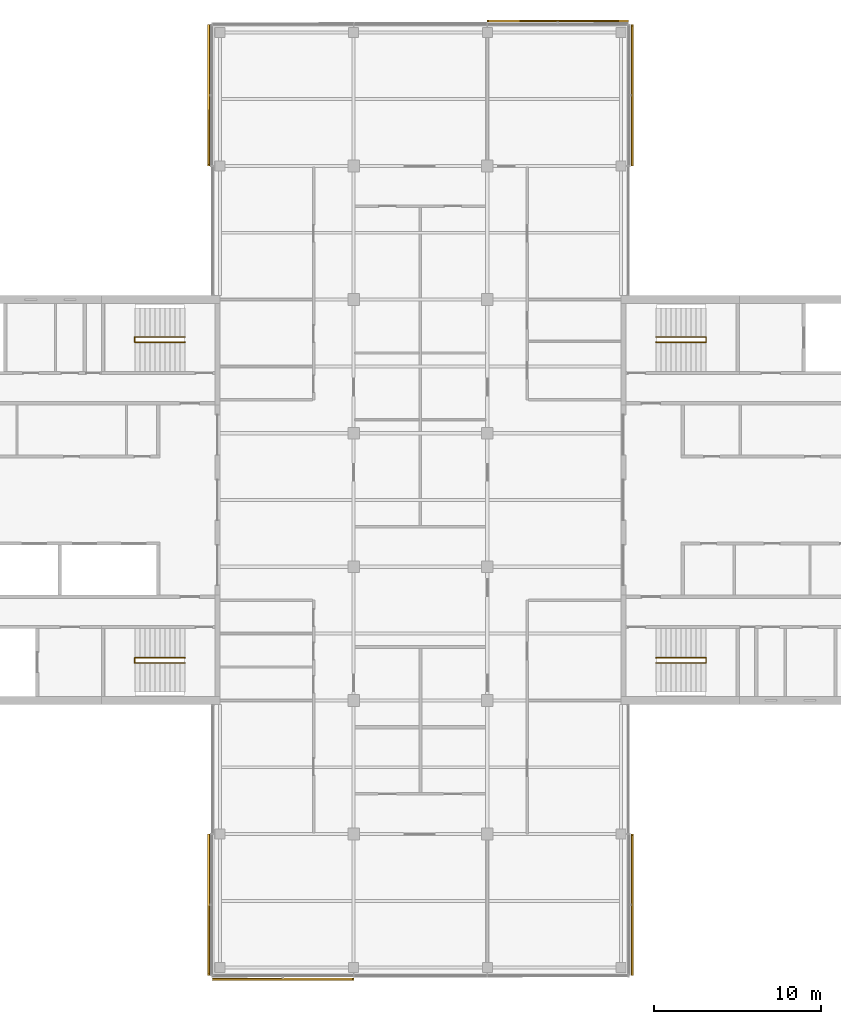
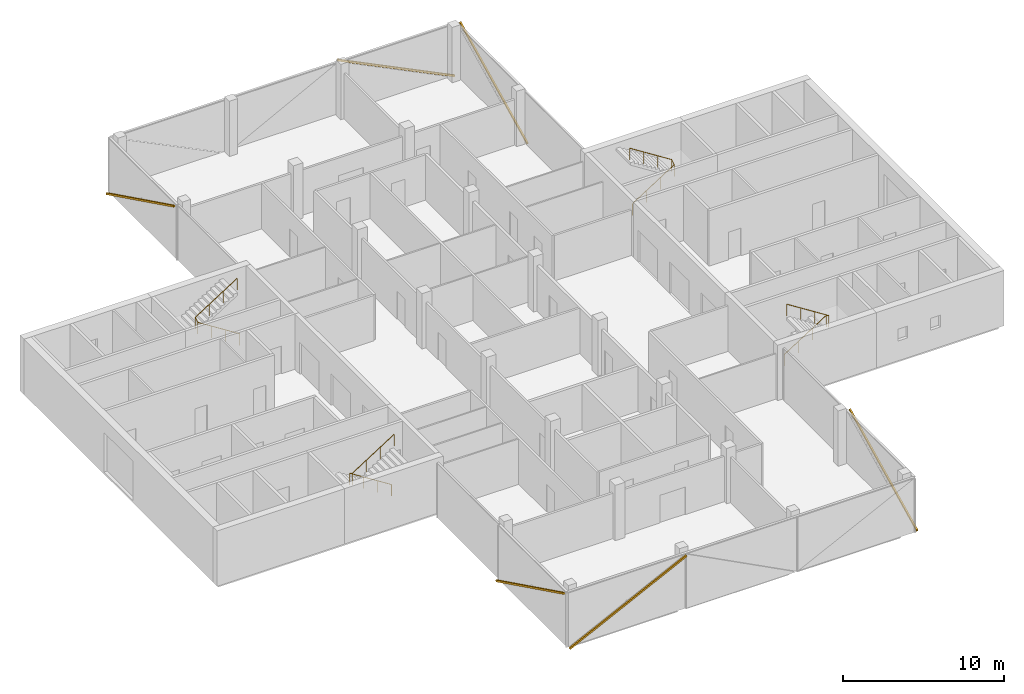
# One storey, part 16 of 16: 6 shading devices, 4 railings, 6 elements without a shape of their own.
"""IFC4 building model written with IfcOpenShell, lengths in metres."""

import ifcopenshell
import ifcopenshell.guid

model = None  # the IFC model being written
_history = None  # IfcOwnerHistory: only IFC2X3 demands one
_inside = {}  # id of a spatial element -> (the spatial element, [elements in it])
_under = {}  # id of a project, library or spatial element -> (it, [spatial elements below it])
_declared = {}  # id of a project -> (the project, [libraries it declares])
_typed = {}  # id of a type object -> (the type object, [elements of that type])
_made_of = {}  # id of a material, layer set ... -> (it, [elements and type objects made of it])


def new_model(schema):
    """Start an empty IFC model of exactly this schema.

    Asked for "IFC4X3", IfcOpenShell would pick the latest addendum, in which some entities
    have other attributes; the version numbers below select the first issue.
    IFC2X3 requires an IfcOwnerHistory on every rooted entity: one is made here for all.
    """
    global model, _history
    if schema == "IFC4X3":
        model = ifcopenshell.file(schema_version=(4, 3, 0, 0))
    else:
        model = ifcopenshell.file(schema=schema)
    _inside.clear()
    _under.clear()
    _declared.clear()
    _typed.clear()
    _made_of.clear()
    _history = None
    if model.schema == "IFC2X3":
        org = make("IfcOrganization", Name="unknown")
        user = make(
            "IfcPersonAndOrganization",
            ThePerson=make("IfcPerson", FamilyName="unknown"),
            TheOrganization=org,
        )
        app = make(
            "IfcApplication",
            ApplicationDeveloper=org,
            Version="unknown",
            ApplicationFullName="unknown",
            ApplicationIdentifier="unknown",
        )
        _history = make(
            "IfcOwnerHistory",
            OwningUser=user,
            OwningApplication=app,
            ChangeAction="ADDED",
            CreationDate=0,
        )
    return model


def make(cls, **values):
    """One entity of the class cls with the attributes given. An attribute that is None is left unset."""
    return model.create_entity(
        cls, **{name: value for name, value in values.items() if value is not None}
    )


def rooted(cls, **values):
    """An entity with a GlobalId (a new one), such as an element, a storey or a relation."""
    return make(cls, GlobalId=ifcopenshell.guid.new(), OwnerHistory=_history, **values)


def si_unit(unit_type, name, prefix=None):
    """IfcSIUnit, for example si_unit("LENGTHUNIT", "METRE", prefix="MILLI")."""
    return make("IfcSIUnit", UnitType=unit_type, Prefix=prefix, Name=name)


def assignment(units):
    """IfcUnitAssignment: the units of a project."""
    return None if units is None else make("IfcUnitAssignment", Units=units)


def point(xyz):
    """IfcCartesianPoint."""
    return None if xyz is None else make("IfcCartesianPoint", Coordinates=xyz)


def direction(xyz):
    """IfcDirection."""
    return None if xyz is None else make("IfcDirection", DirectionRatios=xyz)


def frame(location, z_axis=None, x_axis=None):
    """IfcAxis2Placement3D, a coordinate frame: its origin and axes. An axis left out is left unset."""
    return make(
        "IfcAxis2Placement3D",
        Location=point(location),
        Axis=direction(z_axis),
        RefDirection=direction(x_axis),
    )


def frame_2d(location, x_axis=None):
    """IfcAxis2Placement2D, a coordinate frame in the plane: its origin and x axis."""
    return make(
        "IfcAxis2Placement2D", Location=point(location), RefDirection=direction(x_axis)
    )


def origin():
    """The frame at (0, 0, 0) with its axes left unset."""
    return frame((0.0, 0.0, 0.0))


def origin_2d():
    """The frame at (0, 0) in the plane with its x axis left unset."""
    return frame_2d((0.0, 0.0))


def place(relative_to, where):
    """IfcLocalPlacement: puts the frame where relative to a parent placement (None: the world)."""
    return make(
        "IfcLocalPlacement", PlacementRelTo=relative_to, RelativePlacement=where
    )


def context(
    kind, dimensions, precision=None, world=None, true_north=None, identifier=None
):
    """IfcGeometricRepresentationContext, for example the 3D "Model" context."""
    return make(
        "IfcGeometricRepresentationContext",
        ContextIdentifier=identifier,
        ContextType=kind,
        CoordinateSpaceDimension=dimensions,
        Precision=precision,
        WorldCoordinateSystem=world,
        TrueNorth=true_north,
    )


def subcontext(parent, identifier, kind, view, scale=None):
    """IfcGeometricRepresentationSubContext, for example "Body" below "Model"."""
    return make(
        "IfcGeometricRepresentationSubContext",
        ContextIdentifier=identifier,
        ContextType=kind,
        ParentContext=parent,
        TargetScale=scale,
        TargetView=view,
    )


def project(units=None, contexts=None):
    """IfcProject with its units and contexts."""
    return rooted(
        "IfcProject",
        Name="project",
        RepresentationContexts=contexts,
        UnitsInContext=assignment(units),
    )


def spatial(cls, under=None, at=None, **own):
    """A site, building, storey or space (cls), placed at a placement, below another one or the project."""
    s = rooted(cls, ObjectPlacement=at, **own)
    if under is not None:
        _under.setdefault(under.id(), (under, []))[1].append(s)
    return s


def profile(cls, at=None, kind="AREA", **sizes):
    """A parametric profile (cls). Its sizes go by their IFC names, for example OverallWidth=200.0."""
    return make(cls, ProfileType=kind, Position=at, **sizes)


def rectangle(**sizes):
    """IfcRectangleProfileDef."""
    return profile("IfcRectangleProfileDef", **sizes)


def circle(**sizes):
    """IfcCircleProfileDef."""
    return profile("IfcCircleProfileDef", **sizes)


def extrude(swept, where, along, depth):
    """IfcExtrudedAreaSolid: the profile swept, set in the frame where, extruded along a direction by depth."""
    return make(
        "IfcExtrudedAreaSolid",
        SweptArea=swept,
        Position=where,
        ExtrudedDirection=direction(along),
        Depth=depth,
    )


def shape(context_of_items, identifier, shape_type, items):
    """IfcShapeRepresentation: the items that make up one representation, for example the "Body"."""
    return make(
        "IfcShapeRepresentation",
        ContextOfItems=context_of_items,
        RepresentationIdentifier=identifier,
        RepresentationType=shape_type,
        Items=items,
    )


def material(Name=None, Category=None):
    """IfcMaterial."""
    return make("IfcMaterial", Name=Name, Category=Category)


def material_profile(
    of_material, cross_section, Name=None, Category=None, Priority=None
):
    """IfcMaterialProfile: a cross section and its material."""
    return make(
        "IfcMaterialProfile",
        Name=Name,
        Material=of_material,
        Profile=cross_section,
        Priority=Priority,
        Category=Category,
    )


def profile_set(profiles, Name=None, composite=None):
    """IfcMaterialProfileSet."""
    return make(
        "IfcMaterialProfileSet",
        Name=Name,
        MaterialProfiles=profiles,
        CompositeProfile=composite,
    )


def made_of(thing, what):
    """Note that an element or type object is made of a material, layer set ...; save() writes the relation."""
    if what is not None:
        _made_of.setdefault(what.id(), (what, []))[1].append(thing)
    return thing


def type_object(cls, material=None, **own):
    """A type object (cls), such as IfcWallType, which elements share."""
    return made_of(rooted(cls, **own), material)


def element(
    cls,
    number,
    at=None,
    inside=None,
    cuts=None,
    type_object=None,
    material=None,
    context=None,
    identifier="Body",
    shape_type=None,
    held_by="IfcProductDefinitionShape",
    body=None,
    shapes=None,
    **own,
):
    """One element of the class cls, such as IfcWall. Its Tag is "e" and its number.

    at: its placement. inside: the storey or other place that contains it. cuts: it is an
    opening in that element (IfcRelVoidsElement). A single representation is given by context,
    identifier, shape_type and body (its items); several are given by shapes. held_by: the class
    of the entity that holds the representations. save() writes the other relations.
    """
    e = rooted(cls, Tag="e%d" % number, ObjectPlacement=at, **own)
    if body is not None:
        shapes = [shape(context, identifier, shape_type, body)]
    if shapes is not None:
        e.Representation = make(held_by, Representations=shapes)
    if inside is not None:
        _inside.setdefault(inside.id(), (inside, []))[1].append(e)
    if cuts is not None:
        rooted(
            "IfcRelVoidsElement", RelatingBuildingElement=cuts, RelatedOpeningElement=e
        )
    if type_object is not None:
        _typed.setdefault(type_object.id(), (type_object, []))[1].append(e)
    return made_of(e, material)


def aggregate(whole, parts):
    """IfcRelAggregates: a whole, such as a stair, and the parts it consists of."""
    return rooted("IfcRelAggregates", RelatingObject=whole, RelatedObjects=parts)


def save(model, path):
    """Write the relations noted so far, then the file.

    IfcRelAggregates (storeys below a building ...), IfcRelContainedInSpatialStructure (elements
    in a storey), IfcRelDefinesByType, IfcRelAssociatesMaterial and IfcRelDeclares: one each for
    every whole, place, type object, material and project.
    """
    for whole, parts in _under.values():
        aggregate(whole, parts)
    for where, things in _inside.values():
        rooted(
            "IfcRelContainedInSpatialStructure",
            RelatedElements=things,
            RelatingStructure=where,
        )
    for kind, things in _typed.values():
        rooted("IfcRelDefinesByType", RelatedObjects=things, RelatingType=kind)
    for what, things in _made_of.values():
        rooted("IfcRelAssociatesMaterial", RelatedObjects=things, RelatingMaterial=what)
    for by, libraries in _declared.values():
        rooted("IfcRelDeclares", RelatingContext=by, RelatedDefinitions=libraries)
    model.write(path)


model = new_model("IFC4")

# Units and contexts
model_context = context("Model", 3, precision=1e-05, world=origin(), true_north=direction((0.0, 1.0)))
body_context = subcontext(model_context, "Body", "Model", "MODEL_VIEW")
ifc_project = project(units=[si_unit("LENGTHUNIT", "METRE"), si_unit("AREAUNIT", "SQUARE_METRE"), si_unit("VOLUMEUNIT", "CUBIC_METRE"), si_unit("PLANEANGLEUNIT", "RADIAN"), si_unit("MASSUNIT", "GRAM", prefix="KILO")], contexts=[model_context])

# Site, building, storey
site_placement = place(None, origin())
site = spatial("IfcSite", under=ifc_project, at=site_placement, CompositionType="ELEMENT")
building_placement = place(site_placement, origin())
building = spatial("IfcBuilding", under=site, at=building_placement, Name="Crosswind Convention Tower", CompositionType="ELEMENT")
storey_placement = place(building_placement, frame((0.0, 0.0, 278.699951171875)))
storey = spatial("IfcBuildingStorey", under=building, at=storey_placement, Name="L60", CompositionType="ELEMENT", Elevation=278.699951171875)

# Railings
ifc_material_1 = material(Name="Stainless steel", Category="steel")
railing_type = type_object("IfcRailingType", Name="Stair handrail 900", PredefinedType="HANDRAIL", material=ifc_material_1)
railing_1_placement = place(storey_placement, frame((139.10009765625, 109.43994140625, 0.19091796875)))
element("IfcRailing", 1, at=railing_1_placement, inside=storey, type_object=railing_type, Name="Stair ST1 handrail L60", PredefinedType="HANDRAIL", context=body_context, shape_type="SweptSolid", body=[
    extrude(circle(Radius=0.02392578125, at=origin_2d()), frame((0.0, 0.0, 0.8759765625), z_axis=(0.843650179428, 0.0, 0.536893261973), x_axis=(0.0, 1.0, 0.0)), (0.0, 0.0, 1.0), 3.555908203125),
    extrude(circle(Radius=0.02392578125, at=origin_2d()), frame((3.0, 0.0, 2.78515625), z_axis=(0.0, 0.858819504967, 0.512278301208), x_axis=(-1.0, 0.0, 0.0)), (0.0, 0.0, 1.0), 0.372802734375),
    extrude(circle(Radius=0.02392578125, at=origin_2d()), frame((3.0, 0.320068359375, 2.97607421875), z_axis=(-0.843681277094, 0.0, 0.536844393359), x_axis=(0.0, -1.0, 0.0)), (0.0, 0.0, 1.0), 3.555908203125),
    extrude(circle(Radius=0.02099609375, at=origin_2d()), origin(), (0.0, 0.0, 1.0), 0.851806640625),
    extrude(circle(Radius=0.02099609375, at=origin_2d()), frame((1.0, 0.0, 0.636474609375)), (0.0, 0.0, 1.0), 0.851806640625),
    extrude(circle(Radius=0.02099609375, at=origin_2d()), frame((2.0, 0.0, 1.272705078125)), (0.0, 0.0, 1.0), 0.851806640625),
    extrude(circle(Radius=0.02099609375, at=origin_2d()), frame((3.0, 0.0, 1.9091796875)), (0.0, 0.0, 1.0), 0.851806640625),
    extrude(circle(Radius=0.02099609375, at=origin_2d()), frame((3.0, 0.320068359375, 2.10009765625)), (0.0, 0.0, 1.0), 0.851806640625),
    extrude(circle(Radius=0.02099609375, at=origin_2d()), frame((2.0, 0.320068359375, 2.736328125)), (0.0, 0.0, 1.0), 0.851806640625),
    extrude(circle(Radius=0.02099609375, at=origin_2d()), frame((1.0, 0.320068359375, 3.372802734375)), (0.0, 0.0, 1.0), 0.851806640625),
    extrude(circle(Radius=0.02099609375, at=origin_2d()), frame((0.0, 0.320068359375, 4.009033203125)), (0.0, 0.0, 1.0), 0.851806640625),
])
railing_2_placement = place(storey_placement, frame((139.10009765625, 90.56005859375, 0.19091796875)))
element("IfcRailing", 2, at=railing_2_placement, inside=storey, type_object=railing_type, Name="Stair ST2 handrail L60", PredefinedType="HANDRAIL", context=body_context, shape_type="SweptSolid", body=[
    extrude(circle(Radius=0.02392578125, at=origin_2d()), frame((0.0, 0.0, 0.8759765625), z_axis=(0.843650179428, 0.0, 0.536893261973), x_axis=(0.0, 1.0, 0.0)), (0.0, 0.0, 1.0), 3.555908203125),
    extrude(circle(Radius=0.02392578125, at=origin_2d()), frame((3.0, 0.0, 2.78515625), z_axis=(0.0, -0.858819504967, 0.512278301208), x_axis=(1.0, 0.0, 0.0)), (0.0, 0.0, 1.0), 0.372802734375),
    extrude(circle(Radius=0.02392578125, at=origin_2d()), frame((3.0, -0.320068359375, 2.97607421875), z_axis=(-0.843681277094, 0.0, 0.536844393359), x_axis=(0.0, -1.0, 0.0)), (0.0, 0.0, 1.0), 3.555908203125),
    extrude(circle(Radius=0.02099609375, at=origin_2d()), origin(), (0.0, 0.0, 1.0), 0.851806640625),
    extrude(circle(Radius=0.02099609375, at=origin_2d()), frame((1.0, 0.0, 0.636474609375)), (0.0, 0.0, 1.0), 0.851806640625),
    extrude(circle(Radius=0.02099609375, at=origin_2d()), frame((2.0, 0.0, 1.272705078125)), (0.0, 0.0, 1.0), 0.851806640625),
    extrude(circle(Radius=0.02099609375, at=origin_2d()), frame((3.0, 0.0, 1.9091796875)), (0.0, 0.0, 1.0), 0.851806640625),
    extrude(circle(Radius=0.02099609375, at=origin_2d()), frame((3.0, -0.320068359375, 2.10009765625)), (0.0, 0.0, 1.0), 0.851806640625),
    extrude(circle(Radius=0.02099609375, at=origin_2d()), frame((2.0, -0.320068359375, 2.736328125)), (0.0, 0.0, 1.0), 0.851806640625),
    extrude(circle(Radius=0.02099609375, at=origin_2d()), frame((1.0, -0.320068359375, 3.372802734375)), (0.0, 0.0, 1.0), 0.851806640625),
    extrude(circle(Radius=0.02099609375, at=origin_2d()), frame((0.0, -0.320068359375, 4.009033203125)), (0.0, 0.0, 1.0), 0.851806640625),
])
railing_3_placement = place(storey_placement, frame((110.89990234375, 90.56005859375, 0.19091796875)))
element("IfcRailing", 3, at=railing_3_placement, inside=storey, type_object=railing_type, Name="Stair ST3 handrail L60", PredefinedType="HANDRAIL", context=body_context, shape_type="SweptSolid", body=[
    extrude(circle(Radius=0.02392578125, at=origin_2d()), frame((0.0, 0.0, 0.8759765625), z_axis=(-0.843650179428, 0.0, 0.536893261973), x_axis=(0.0, -1.0, 0.0)), (0.0, 0.0, 1.0), 3.555908203125),
    extrude(circle(Radius=0.02392578125, at=origin_2d()), frame((-3.0, 0.0, 2.78515625), z_axis=(0.0, -0.858819504967, 0.512278301208), x_axis=(1.0, 0.0, 0.0)), (0.0, 0.0, 1.0), 0.372802734375),
    extrude(circle(Radius=0.02392578125, at=origin_2d()), frame((-3.0, -0.320068359375, 2.97607421875), z_axis=(0.843681277094, 0.0, 0.536844393359), x_axis=(0.0, 1.0, 0.0)), (0.0, 0.0, 1.0), 3.555908203125),
    extrude(circle(Radius=0.02099609375, at=origin_2d()), origin(), (0.0, 0.0, 1.0), 0.851806640625),
    extrude(circle(Radius=0.02099609375, at=origin_2d()), frame((-1.0, 0.0, 0.636474609375)), (0.0, 0.0, 1.0), 0.851806640625),
    extrude(circle(Radius=0.02099609375, at=origin_2d()), frame((-2.0, 0.0, 1.272705078125)), (0.0, 0.0, 1.0), 0.851806640625),
    extrude(circle(Radius=0.02099609375, at=origin_2d()), frame((-3.0, 0.0, 1.9091796875)), (0.0, 0.0, 1.0), 0.851806640625),
    extrude(circle(Radius=0.02099609375, at=origin_2d()), frame((-3.0, -0.320068359375, 2.10009765625)), (0.0, 0.0, 1.0), 0.851806640625),
    extrude(circle(Radius=0.02099609375, at=origin_2d()), frame((-2.0, -0.320068359375, 2.736328125)), (0.0, 0.0, 1.0), 0.851806640625),
    extrude(circle(Radius=0.02099609375, at=origin_2d()), frame((-1.0, -0.320068359375, 3.372802734375)), (0.0, 0.0, 1.0), 0.851806640625),
    extrude(circle(Radius=0.02099609375, at=origin_2d()), frame((0.0, -0.320068359375, 4.009033203125)), (0.0, 0.0, 1.0), 0.851806640625),
])
railing_4_placement = place(storey_placement, frame((110.89990234375, 109.43994140625, 0.19091796875)))
element("IfcRailing", 4, at=railing_4_placement, inside=storey, type_object=railing_type, Name="Stair ST4 handrail L60", PredefinedType="HANDRAIL", context=body_context, shape_type="SweptSolid", body=[
    extrude(circle(Radius=0.02392578125, at=origin_2d()), frame((0.0, 0.0, 0.8759765625), z_axis=(-0.843650179428, 0.0, 0.536893261973), x_axis=(0.0, -1.0, 0.0)), (0.0, 0.0, 1.0), 3.555908203125),
    extrude(circle(Radius=0.02392578125, at=origin_2d()), frame((-3.0, 0.0, 2.78515625), z_axis=(0.0, 0.858819504967, 0.512278301208), x_axis=(-1.0, 0.0, 0.0)), (0.0, 0.0, 1.0), 0.372802734375),
    extrude(circle(Radius=0.02392578125, at=origin_2d()), frame((-3.0, 0.320068359375, 2.97607421875), z_axis=(0.843681277094, 0.0, 0.536844393359), x_axis=(0.0, 1.0, 0.0)), (0.0, 0.0, 1.0), 3.555908203125),
    extrude(circle(Radius=0.02099609375, at=origin_2d()), origin(), (0.0, 0.0, 1.0), 0.851806640625),
    extrude(circle(Radius=0.02099609375, at=origin_2d()), frame((-1.0, 0.0, 0.636474609375)), (0.0, 0.0, 1.0), 0.851806640625),
    extrude(circle(Radius=0.02099609375, at=origin_2d()), frame((-2.0, 0.0, 1.272705078125)), (0.0, 0.0, 1.0), 0.851806640625),
    extrude(circle(Radius=0.02099609375, at=origin_2d()), frame((-3.0, 0.0, 1.9091796875)), (0.0, 0.0, 1.0), 0.851806640625),
    extrude(circle(Radius=0.02099609375, at=origin_2d()), frame((-3.0, 0.320068359375, 2.10009765625)), (0.0, 0.0, 1.0), 0.851806640625),
    extrude(circle(Radius=0.02099609375, at=origin_2d()), frame((-2.0, 0.320068359375, 2.736328125)), (0.0, 0.0, 1.0), 0.851806640625),
    extrude(circle(Radius=0.02099609375, at=origin_2d()), frame((-1.0, 0.320068359375, 3.372802734375)), (0.0, 0.0, 1.0), 0.851806640625),
    extrude(circle(Radius=0.02099609375, at=origin_2d()), frame((0.0, 0.320068359375, 4.009033203125)), (0.0, 0.0, 1.0), 0.851806640625),
])

# Curtain wall, shading device
ifc_material_2 = material(Name="Aluminium unitised curtain wall", Category="aluminium")
curtain_wall_type = type_object("IfcCurtainWallType", Name="OFFICE UNITISED WALL 220", PredefinedType="USERDEFINED", material=ifc_material_2)
curtain_wall_1_placement = place(storey_placement, origin())
curtain_wall_1 = element("IfcCurtainWall", 5, at=curtain_wall_1_placement, inside=storey, type_object=curtain_wall_type, Name="CW3 L60 N-E 1", ObjectType="UNITISED", PredefinedType="USERDEFINED")
ifc_material_3 = material(Name="Extruded terracotta", Category="masonry")
ifc_material_profile = material_profile(ifc_material_3, rectangle(XDim=0.110107421875, YDim=0.1298828125, at=origin_2d()), Name="TC 110X130")
ifc_profile_set = profile_set([ifc_material_profile], Name="Extruded terracotta")
shading_device_type = type_object("IfcShadingDeviceType", Name="TERRACOTTA BAGUETTE 130X110", PredefinedType="USERDEFINED", material=ifc_profile_set)
shading_device_1_placement = place(storey_placement, frame((137.680908203125, 120.034912109375, -0.300048828125), z_axis=(0.0, 0.897187705251, 0.441649432862), x_axis=(-1.0, 0.0, 0.0)))
shading_device_1 = element("IfcShadingDevice", 6, at=shading_device_1_placement, type_object=shading_device_type, Name="CW3 terracotta baguette 1", ObjectType="BAGUETTE", PredefinedType="USERDEFINED", context=body_context, shape_type="SweptSolid", body=[
    extrude(rectangle(XDim=0.110107421875, YDim=0.1298828125, at=origin_2d()), origin(), (0.0, 0.0, 1.0), 9.3515625),
])
aggregate(curtain_wall_1, [shading_device_1])

curtain_wall_2_placement = place(storey_placement, origin())
curtain_wall_2 = element("IfcCurtainWall", 7, at=curtain_wall_2_placement, inside=storey, type_object=curtain_wall_type, Name="CW3 L60 N-TIP 1", ObjectType="UNITISED", PredefinedType="USERDEFINED")
shading_device_2_placement = place(storey_placement, frame((137.425048828125, 128.680908203125, -0.300048828125), z_axis=(-0.897187705251, 0.0, 0.441649432862), x_axis=(0.0, -1.0, 0.0)))
shading_device_2 = element("IfcShadingDevice", 8, at=shading_device_2_placement, type_object=shading_device_type, Name="CW3 terracotta baguette 1", ObjectType="BAGUETTE", PredefinedType="USERDEFINED", context=body_context, shape_type="SweptSolid", body=[
    extrude(rectangle(XDim=0.110107421875, YDim=0.1298828125, at=origin_2d()), origin(), (0.0, 0.0, 1.0), 9.3515625),
])
aggregate(curtain_wall_2, [shading_device_2])

curtain_wall_3_placement = place(storey_placement, origin())
curtain_wall_3 = element("IfcCurtainWall", 9, at=curtain_wall_3_placement, inside=storey, type_object=curtain_wall_type, Name="CW3 L60 N-W 1", ObjectType="UNITISED", PredefinedType="USERDEFINED")
shading_device_3_placement = place(storey_placement, frame((112.319091796875, 128.425048828125, -0.300048828125), z_axis=(0.0, -0.897187705251, 0.441649432862), x_axis=(1.0, 0.0, 0.0)))
shading_device_3 = element("IfcShadingDevice", 10, at=shading_device_3_placement, type_object=shading_device_type, Name="CW3 terracotta baguette 1", ObjectType="BAGUETTE", PredefinedType="USERDEFINED", context=body_context, shape_type="SweptSolid", body=[
    extrude(rectangle(XDim=0.110107421875, YDim=0.1298828125, at=origin_2d()), origin(), (0.0, 0.0, 1.0), 9.3515625),
])
aggregate(curtain_wall_3, [shading_device_3])

curtain_wall_4_placement = place(storey_placement, origin())
curtain_wall_4 = element("IfcCurtainWall", 11, at=curtain_wall_4_placement, inside=storey, type_object=curtain_wall_type, Name="CW3 L60 S-W 1", ObjectType="UNITISED", PredefinedType="USERDEFINED")
shading_device_4_placement = place(storey_placement, frame((112.319091796875, 79.965087890625, -0.300048828125), z_axis=(0.0, -0.897187705251, 0.441649432862), x_axis=(1.0, 0.0, 0.0)))
shading_device_4 = element("IfcShadingDevice", 12, at=shading_device_4_placement, type_object=shading_device_type, Name="CW3 terracotta baguette 1", ObjectType="BAGUETTE", PredefinedType="USERDEFINED", context=body_context, shape_type="SweptSolid", body=[
    extrude(rectangle(XDim=0.110107421875, YDim=0.1298828125, at=origin_2d()), origin(), (0.0, 0.0, 1.0), 9.3515625),
])
aggregate(curtain_wall_4, [shading_device_4])

curtain_wall_5_placement = place(storey_placement, origin())
curtain_wall_5 = element("IfcCurtainWall", 13, at=curtain_wall_5_placement, inside=storey, type_object=curtain_wall_type, Name="CW3 L60 S-TIP 1", ObjectType="UNITISED", PredefinedType="USERDEFINED")
shading_device_5_placement = place(storey_placement, frame((112.574951171875, 71.319091796875, -0.300048828125), z_axis=(0.897187705251, 0.0, 0.441649432862), x_axis=(0.0, 1.0, 0.0)))
shading_device_5 = element("IfcShadingDevice", 14, at=shading_device_5_placement, type_object=shading_device_type, Name="CW3 terracotta baguette 1", ObjectType="BAGUETTE", PredefinedType="USERDEFINED", context=body_context, shape_type="SweptSolid", body=[
    extrude(rectangle(XDim=0.110107421875, YDim=0.1298828125, at=origin_2d()), origin(), (0.0, 0.0, 1.0), 9.3515625),
])
aggregate(curtain_wall_5, [shading_device_5])

curtain_wall_6_placement = place(storey_placement, origin())
curtain_wall_6 = element("IfcCurtainWall", 15, at=curtain_wall_6_placement, inside=storey, type_object=curtain_wall_type, Name="CW3 L60 S-E 1", ObjectType="UNITISED", PredefinedType="USERDEFINED")
shading_device_6_placement = place(storey_placement, frame((137.680908203125, 71.574951171875, -0.300048828125), z_axis=(0.0, 0.897187705251, 0.441649432862), x_axis=(-1.0, 0.0, 0.0)))
shading_device_6 = element("IfcShadingDevice", 16, at=shading_device_6_placement, type_object=shading_device_type, Name="CW3 terracotta baguette 1", ObjectType="BAGUETTE", PredefinedType="USERDEFINED", context=body_context, shape_type="SweptSolid", body=[
    extrude(rectangle(XDim=0.110107421875, YDim=0.1298828125, at=origin_2d()), origin(), (0.0, 0.0, 1.0), 9.3515625),
])
aggregate(curtain_wall_6, [shading_device_6])

save(model, "model.ifc")
